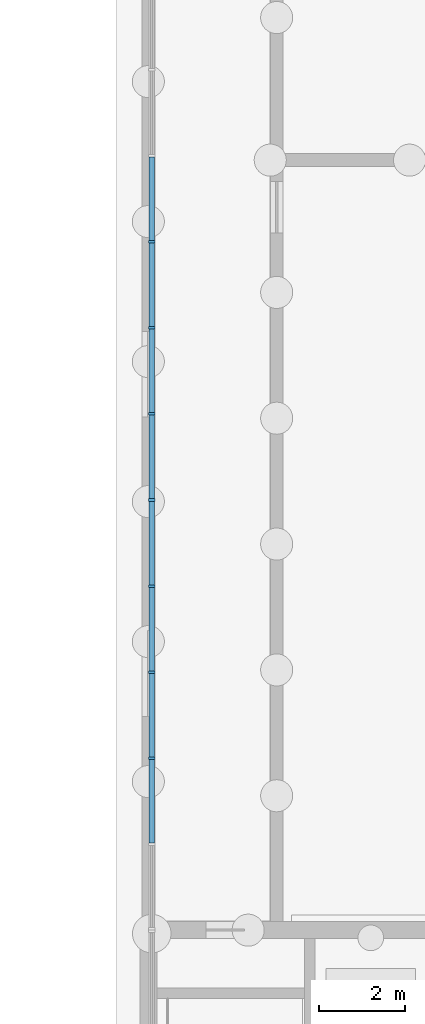
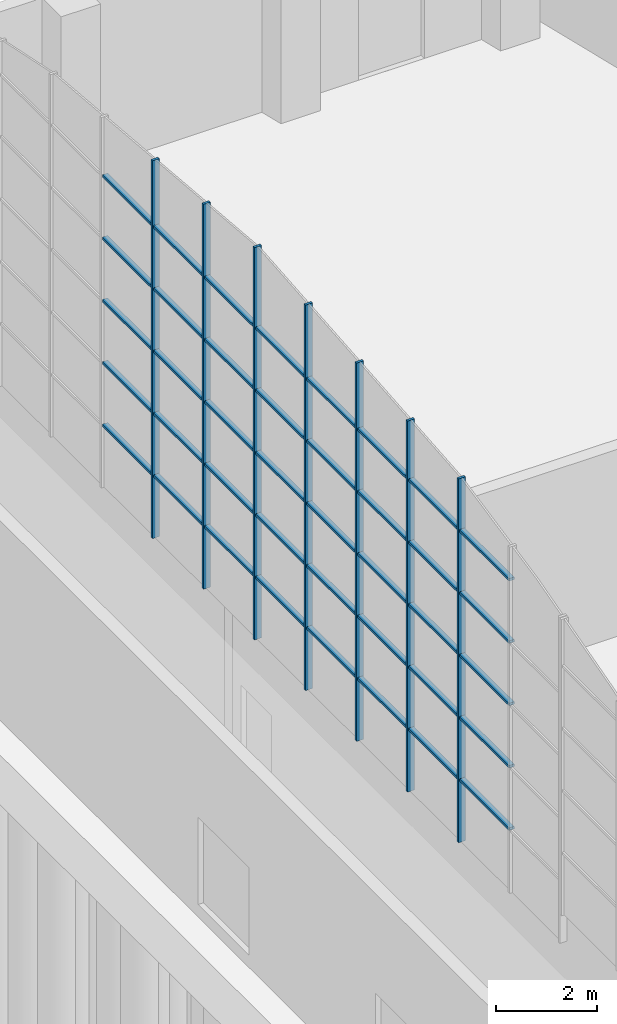
# One storey, part 27 of 106: 47 members, 1 element without a shape of its own.
"""IFC4 building model written with IfcOpenShell, lengths in metres."""

from ifc_helpers import new_model, si_unit, direction, frame, origin, origin_2d, place, context, subcontext, project, spatial, rectangle, extrude, material, material_profile, profile_set, type_object, element, aggregate, save


model = new_model("IFC4")

# Units and contexts
model_context = context("Model", 3, precision=1e-05, world=origin(), true_north=direction((0.0, 1.0)))
body_context = subcontext(model_context, "Body", "Model", "MODEL_VIEW")
ifc_project = project(units=[si_unit("LENGTHUNIT", "METRE"), si_unit("AREAUNIT", "SQUARE_METRE"), si_unit("VOLUMEUNIT", "CUBIC_METRE"), si_unit("PLANEANGLEUNIT", "RADIAN"), si_unit("MASSUNIT", "GRAM", prefix="KILO")], contexts=[model_context])

# Site, building, storey
site_placement = place(None, origin())
site = spatial("IfcSite", under=ifc_project, at=site_placement, CompositionType="ELEMENT")
building_placement = place(site_placement, origin())
building = spatial("IfcBuilding", under=site, at=building_placement, Name="Merrow Basin Faculty of Sciences", CompositionType="ELEMENT")
storey_placement = place(building_placement, origin())
storey = spatial("IfcBuildingStorey", under=building, at=storey_placement, Name="L00", CompositionType="ELEMENT", Elevation=0.0)

# Curtain wall, members
ifc_material_1 = material(Name="Aluminium alloy 6063", Category="aluminium")
curtain_wall_type = type_object("IfcCurtainWallType", Name="Arched curtain wall 160", PredefinedType="NOTDEFINED", material=ifc_material_1)
curtain_wall_placement = place(storey_placement, origin())
curtain_wall = element("IfcCurtainWall", 1, at=curtain_wall_placement, inside=storey, type_object=curtain_wall_type, Name="West gable glazing C", PredefinedType="NOTDEFINED")
ifc_material_2 = material(Name="Aluminium alloy 6063", Category="aluminium")
ifc_material_profile_1 = material_profile(ifc_material_2, rectangle(XDim=0.159912109375, YDim=0.06005859375, at=origin_2d()))
ifc_profile_set_1 = profile_set([ifc_material_profile_1], Name="Aluminium alloy 6063")
member_type_1 = type_object("IfcMemberType", Name="Aluminium gable mullion 60x160", PredefinedType="MULLION", material=ifc_profile_set_1)
member_1_placement = place(storey_placement, frame((0.080078125, 18.02197265625, 7.5), z_axis=(0.0, 0.0, 1.0), x_axis=(1.0, 0.0, 0.0)))
member_1 = element("IfcMember", 2, at=member_1_placement, type_object=member_type_1, Name="CW4 mullion 3", PredefinedType="MULLION", context=body_context, shape_type="SweptSolid", body=[
    extrude(rectangle(XDim=0.159912109375, YDim=0.06005859375, at=origin_2d()), origin(), (0.0, 0.0, 1.0), 8.7529296875),
])
member_2_placement = place(storey_placement, frame((0.080078125, 20.032958984375, 7.5), z_axis=(0.0, 0.0, 1.0), x_axis=(1.0, 0.0, 0.0)))
member_2 = element("IfcMember", 3, at=member_2_placement, type_object=member_type_1, Name="CW4 mullion 4", PredefinedType="MULLION", context=body_context, shape_type="SweptSolid", body=[
    extrude(rectangle(XDim=0.159912109375, YDim=0.06005859375, at=origin_2d()), origin(), (0.0, 0.0, 1.0), 8.927001953125),
])
member_3_placement = place(storey_placement, frame((0.080078125, 22.0439453125, 7.5), z_axis=(0.0, 0.0, 1.0), x_axis=(1.0, 0.0, 0.0)))
member_3 = element("IfcMember", 4, at=member_3_placement, type_object=member_type_1, Name="CW4 mullion 5", PredefinedType="MULLION", context=body_context, shape_type="SweptSolid", body=[
    extrude(rectangle(XDim=0.159912109375, YDim=0.06005859375, at=origin_2d()), origin(), (0.0, 0.0, 1.0), 9.10205078125),
])
member_4_placement = place(storey_placement, frame((0.080078125, 24.055908203125, 7.5), z_axis=(0.0, 0.0, 1.0), x_axis=(1.0, 0.0, 0.0)))
member_4 = element("IfcMember", 5, at=member_4_placement, type_object=member_type_1, Name="CW4 mullion 6", PredefinedType="MULLION", context=body_context, shape_type="SweptSolid", body=[
    extrude(rectangle(XDim=0.159912109375, YDim=0.06005859375, at=origin_2d()), origin(), (0.0, 0.0, 1.0), 9.277099609375),
])
member_5_placement = place(storey_placement, frame((0.080078125, 26.06689453125, 7.5), z_axis=(0.0, 0.0, 1.0), x_axis=(1.0, 0.0, 0.0)))
member_5 = element("IfcMember", 6, at=member_5_placement, type_object=member_type_1, Name="CW4 mullion 7", PredefinedType="MULLION", context=body_context, shape_type="SweptSolid", body=[
    extrude(rectangle(XDim=0.159912109375, YDim=0.06005859375, at=origin_2d()), origin(), (0.0, 0.0, 1.0), 9.43994140625),
])
member_6_placement = place(storey_placement, frame((0.080078125, 28.077880859375, 7.5), z_axis=(0.0, 0.0, 1.0), x_axis=(1.0, 0.0, 0.0)))
member_6 = element("IfcMember", 7, at=member_6_placement, type_object=member_type_1, Name="CW4 mullion 8", PredefinedType="MULLION", context=body_context, shape_type="SweptSolid", body=[
    extrude(rectangle(XDim=0.159912109375, YDim=0.06005859375, at=origin_2d()), origin(), (0.0, 0.0, 1.0), 9.264892578125),
])
member_7_placement = place(storey_placement, frame((0.080078125, 30.089111328125, 7.5), z_axis=(0.0, 0.0, 1.0), x_axis=(1.0, 0.0, 0.0)))
member_7 = element("IfcMember", 8, at=member_7_placement, type_object=member_type_1, Name="CW4 mullion 9", PredefinedType="MULLION", context=body_context, shape_type="SweptSolid", body=[
    extrude(rectangle(XDim=0.159912109375, YDim=0.06005859375, at=origin_2d()), origin(), (0.0, 0.0, 1.0), 9.090087890625),
])
ifc_material_3 = material(Name="Aluminium alloy 6063", Category="aluminium")
ifc_material_profile_2 = material_profile(ifc_material_3, rectangle(XDim=0.1201171875, YDim=0.06005859375, at=origin_2d()))
ifc_profile_set_2 = profile_set([ifc_material_profile_2], Name="Aluminium alloy 6063")
member_type_2 = type_object("IfcMemberType", Name="Aluminium gable transom 60x120", PredefinedType="USERDEFINED", material=ifc_profile_set_2)
member_8_placement = place(storey_placement, frame((0.080078125, 16.041015625, 9.0), z_axis=(0.0, 1.0, 0.0), x_axis=(-1.0, 0.0, 0.0)))
member_8 = element("IfcMember", 9, at=member_8_placement, type_object=member_type_2, Name="CW4 transom 2.1", ObjectType="TRANSOM", PredefinedType="USERDEFINED", context=body_context, shape_type="SweptSolid", body=[
    extrude(rectangle(XDim=0.1201171875, YDim=0.06005859375, at=origin_2d()), origin(), (0.0, 0.0, 1.0), 1.950927734375),
])
member_9_placement = place(storey_placement, frame((0.080078125, 16.041015625, 10.5), z_axis=(0.0, 1.0, 0.0), x_axis=(-1.0, 0.0, 0.0)))
member_9 = element("IfcMember", 10, at=member_9_placement, type_object=member_type_2, Name="CW4 transom 2.2", ObjectType="TRANSOM", PredefinedType="USERDEFINED", context=body_context, shape_type="SweptSolid", body=[
    extrude(rectangle(XDim=0.1201171875, YDim=0.06005859375, at=origin_2d()), origin(), (0.0, 0.0, 1.0), 1.950927734375),
])
member_10_placement = place(storey_placement, frame((0.080078125, 16.041015625, 12.0), z_axis=(0.0, 1.0, 0.0), x_axis=(-1.0, 0.0, 0.0)))
member_10 = element("IfcMember", 11, at=member_10_placement, type_object=member_type_2, Name="CW4 transom 2.3", ObjectType="TRANSOM", PredefinedType="USERDEFINED", context=body_context, shape_type="SweptSolid", body=[
    extrude(rectangle(XDim=0.1201171875, YDim=0.06005859375, at=origin_2d()), origin(), (0.0, 0.0, 1.0), 1.950927734375),
])
member_11_placement = place(storey_placement, frame((0.080078125, 16.041015625, 13.5), z_axis=(0.0, 1.0, 0.0), x_axis=(-1.0, 0.0, 0.0)))
member_11 = element("IfcMember", 12, at=member_11_placement, type_object=member_type_2, Name="CW4 transom 2.4", ObjectType="TRANSOM", PredefinedType="USERDEFINED", context=body_context, shape_type="SweptSolid", body=[
    extrude(rectangle(XDim=0.1201171875, YDim=0.06005859375, at=origin_2d()), origin(), (0.0, 0.0, 1.0), 1.950927734375),
])
member_12_placement = place(storey_placement, frame((0.080078125, 16.041015625, 15.0), z_axis=(0.0, 1.0, 0.0), x_axis=(-1.0, 0.0, 0.0)))
member_12 = element("IfcMember", 13, at=member_12_placement, type_object=member_type_2, Name="CW4 transom 2.5", ObjectType="TRANSOM", PredefinedType="USERDEFINED", context=body_context, shape_type="SweptSolid", body=[
    extrude(rectangle(XDim=0.1201171875, YDim=0.06005859375, at=origin_2d()), origin(), (0.0, 0.0, 1.0), 1.950927734375),
])
member_13_placement = place(storey_placement, frame((0.080078125, 18.052001953125, 9.0), z_axis=(0.0, 1.0, 0.0), x_axis=(-1.0, 0.0, 0.0)))
member_13 = element("IfcMember", 14, at=member_13_placement, type_object=member_type_2, Name="CW4 transom 3.1", ObjectType="TRANSOM", PredefinedType="USERDEFINED", context=body_context, shape_type="SweptSolid", body=[
    extrude(rectangle(XDim=0.1201171875, YDim=0.06005859375, at=origin_2d()), origin(), (0.0, 0.0, 1.0), 1.950927734375),
])
member_14_placement = place(storey_placement, frame((0.080078125, 18.052001953125, 10.5), z_axis=(0.0, 1.0, 0.0), x_axis=(-1.0, 0.0, 0.0)))
member_14 = element("IfcMember", 15, at=member_14_placement, type_object=member_type_2, Name="CW4 transom 3.2", ObjectType="TRANSOM", PredefinedType="USERDEFINED", context=body_context, shape_type="SweptSolid", body=[
    extrude(rectangle(XDim=0.1201171875, YDim=0.06005859375, at=origin_2d()), origin(), (0.0, 0.0, 1.0), 1.950927734375),
])
member_15_placement = place(storey_placement, frame((0.080078125, 18.052001953125, 12.0), z_axis=(0.0, 1.0, 0.0), x_axis=(-1.0, 0.0, 0.0)))
member_15 = element("IfcMember", 16, at=member_15_placement, type_object=member_type_2, Name="CW4 transom 3.3", ObjectType="TRANSOM", PredefinedType="USERDEFINED", context=body_context, shape_type="SweptSolid", body=[
    extrude(rectangle(XDim=0.1201171875, YDim=0.06005859375, at=origin_2d()), origin(), (0.0, 0.0, 1.0), 1.950927734375),
])
member_16_placement = place(storey_placement, frame((0.080078125, 18.052001953125, 13.5), z_axis=(0.0, 1.0, 0.0), x_axis=(-1.0, 0.0, 0.0)))
member_16 = element("IfcMember", 17, at=member_16_placement, type_object=member_type_2, Name="CW4 transom 3.4", ObjectType="TRANSOM", PredefinedType="USERDEFINED", context=body_context, shape_type="SweptSolid", body=[
    extrude(rectangle(XDim=0.1201171875, YDim=0.06005859375, at=origin_2d()), origin(), (0.0, 0.0, 1.0), 1.950927734375),
])
member_17_placement = place(storey_placement, frame((0.080078125, 18.052001953125, 15.0), z_axis=(0.0, 1.0, 0.0), x_axis=(-1.0, 0.0, 0.0)))
member_17 = element("IfcMember", 18, at=member_17_placement, type_object=member_type_2, Name="CW4 transom 3.5", ObjectType="TRANSOM", PredefinedType="USERDEFINED", context=body_context, shape_type="SweptSolid", body=[
    extrude(rectangle(XDim=0.1201171875, YDim=0.06005859375, at=origin_2d()), origin(), (0.0, 0.0, 1.0), 1.950927734375),
])
member_18_placement = place(storey_placement, frame((0.080078125, 20.06298828125, 9.0), z_axis=(0.0, 1.0, 0.0), x_axis=(-1.0, 0.0, 0.0)))
member_18 = element("IfcMember", 19, at=member_18_placement, type_object=member_type_2, Name="CW4 transom 4.1", ObjectType="TRANSOM", PredefinedType="USERDEFINED", context=body_context, shape_type="SweptSolid", body=[
    extrude(rectangle(XDim=0.1201171875, YDim=0.06005859375, at=origin_2d()), origin(), (0.0, 0.0, 1.0), 1.950927734375),
])
member_19_placement = place(storey_placement, frame((0.080078125, 20.06298828125, 10.5), z_axis=(0.0, 1.0, 0.0), x_axis=(-1.0, 0.0, 0.0)))
member_19 = element("IfcMember", 20, at=member_19_placement, type_object=member_type_2, Name="CW4 transom 4.2", ObjectType="TRANSOM", PredefinedType="USERDEFINED", context=body_context, shape_type="SweptSolid", body=[
    extrude(rectangle(XDim=0.1201171875, YDim=0.06005859375, at=origin_2d()), origin(), (0.0, 0.0, 1.0), 1.950927734375),
])
member_20_placement = place(storey_placement, frame((0.080078125, 20.06298828125, 12.0), z_axis=(0.0, 1.0, 0.0), x_axis=(-1.0, 0.0, 0.0)))
member_20 = element("IfcMember", 21, at=member_20_placement, type_object=member_type_2, Name="CW4 transom 4.3", ObjectType="TRANSOM", PredefinedType="USERDEFINED", context=body_context, shape_type="SweptSolid", body=[
    extrude(rectangle(XDim=0.1201171875, YDim=0.06005859375, at=origin_2d()), origin(), (0.0, 0.0, 1.0), 1.950927734375),
])
member_21_placement = place(storey_placement, frame((0.080078125, 20.06298828125, 13.5), z_axis=(0.0, 1.0, 0.0), x_axis=(-1.0, 0.0, 0.0)))
member_21 = element("IfcMember", 22, at=member_21_placement, type_object=member_type_2, Name="CW4 transom 4.4", ObjectType="TRANSOM", PredefinedType="USERDEFINED", context=body_context, shape_type="SweptSolid", body=[
    extrude(rectangle(XDim=0.1201171875, YDim=0.06005859375, at=origin_2d()), origin(), (0.0, 0.0, 1.0), 1.950927734375),
])
member_22_placement = place(storey_placement, frame((0.080078125, 20.06298828125, 15.0), z_axis=(0.0, 1.0, 0.0), x_axis=(-1.0, 0.0, 0.0)))
member_22 = element("IfcMember", 23, at=member_22_placement, type_object=member_type_2, Name="CW4 transom 4.5", ObjectType="TRANSOM", PredefinedType="USERDEFINED", context=body_context, shape_type="SweptSolid", body=[
    extrude(rectangle(XDim=0.1201171875, YDim=0.06005859375, at=origin_2d()), origin(), (0.0, 0.0, 1.0), 1.950927734375),
])
member_23_placement = place(storey_placement, frame((0.080078125, 22.073974609375, 9.0), z_axis=(0.0, 1.0, 0.0), x_axis=(-1.0, 0.0, 0.0)))
member_23 = element("IfcMember", 24, at=member_23_placement, type_object=member_type_2, Name="CW4 transom 5.1", ObjectType="TRANSOM", PredefinedType="USERDEFINED", context=body_context, shape_type="SweptSolid", body=[
    extrude(rectangle(XDim=0.1201171875, YDim=0.06005859375, at=origin_2d()), origin(), (0.0, 0.0, 1.0), 1.951904296875),
])
member_24_placement = place(storey_placement, frame((0.080078125, 22.073974609375, 10.5), z_axis=(0.0, 1.0, 0.0), x_axis=(-1.0, 0.0, 0.0)))
member_24 = element("IfcMember", 25, at=member_24_placement, type_object=member_type_2, Name="CW4 transom 5.2", ObjectType="TRANSOM", PredefinedType="USERDEFINED", context=body_context, shape_type="SweptSolid", body=[
    extrude(rectangle(XDim=0.1201171875, YDim=0.06005859375, at=origin_2d()), origin(), (0.0, 0.0, 1.0), 1.951904296875),
])
member_25_placement = place(storey_placement, frame((0.080078125, 22.073974609375, 12.0), z_axis=(0.0, 1.0, 0.0), x_axis=(-1.0, 0.0, 0.0)))
member_25 = element("IfcMember", 26, at=member_25_placement, type_object=member_type_2, Name="CW4 transom 5.3", ObjectType="TRANSOM", PredefinedType="USERDEFINED", context=body_context, shape_type="SweptSolid", body=[
    extrude(rectangle(XDim=0.1201171875, YDim=0.06005859375, at=origin_2d()), origin(), (0.0, 0.0, 1.0), 1.951904296875),
])
member_26_placement = place(storey_placement, frame((0.080078125, 22.073974609375, 13.5), z_axis=(0.0, 1.0, 0.0), x_axis=(-1.0, 0.0, 0.0)))
member_26 = element("IfcMember", 27, at=member_26_placement, type_object=member_type_2, Name="CW4 transom 5.4", ObjectType="TRANSOM", PredefinedType="USERDEFINED", context=body_context, shape_type="SweptSolid", body=[
    extrude(rectangle(XDim=0.1201171875, YDim=0.06005859375, at=origin_2d()), origin(), (0.0, 0.0, 1.0), 1.951904296875),
])
member_27_placement = place(storey_placement, frame((0.080078125, 22.073974609375, 15.0), z_axis=(0.0, 1.0, 0.0), x_axis=(-1.0, 0.0, 0.0)))
member_27 = element("IfcMember", 28, at=member_27_placement, type_object=member_type_2, Name="CW4 transom 5.5", ObjectType="TRANSOM", PredefinedType="USERDEFINED", context=body_context, shape_type="SweptSolid", body=[
    extrude(rectangle(XDim=0.1201171875, YDim=0.06005859375, at=origin_2d()), origin(), (0.0, 0.0, 1.0), 1.951904296875),
])
member_28_placement = place(storey_placement, frame((0.080078125, 24.0859375, 9.0), z_axis=(0.0, 1.0, 0.0), x_axis=(-1.0, 0.0, 0.0)))
member_28 = element("IfcMember", 29, at=member_28_placement, type_object=member_type_2, Name="CW4 transom 6.1", ObjectType="TRANSOM", PredefinedType="USERDEFINED", context=body_context, shape_type="SweptSolid", body=[
    extrude(rectangle(XDim=0.1201171875, YDim=0.06005859375, at=origin_2d()), origin(), (0.0, 0.0, 1.0), 1.951171875),
])
member_29_placement = place(storey_placement, frame((0.080078125, 24.0859375, 10.5), z_axis=(0.0, 1.0, 0.0), x_axis=(-1.0, 0.0, 0.0)))
member_29 = element("IfcMember", 30, at=member_29_placement, type_object=member_type_2, Name="CW4 transom 6.2", ObjectType="TRANSOM", PredefinedType="USERDEFINED", context=body_context, shape_type="SweptSolid", body=[
    extrude(rectangle(XDim=0.1201171875, YDim=0.06005859375, at=origin_2d()), origin(), (0.0, 0.0, 1.0), 1.951171875),
])
member_30_placement = place(storey_placement, frame((0.080078125, 24.0859375, 12.0), z_axis=(0.0, 1.0, 0.0), x_axis=(-1.0, 0.0, 0.0)))
member_30 = element("IfcMember", 31, at=member_30_placement, type_object=member_type_2, Name="CW4 transom 6.3", ObjectType="TRANSOM", PredefinedType="USERDEFINED", context=body_context, shape_type="SweptSolid", body=[
    extrude(rectangle(XDim=0.1201171875, YDim=0.06005859375, at=origin_2d()), origin(), (0.0, 0.0, 1.0), 1.951171875),
])
member_31_placement = place(storey_placement, frame((0.080078125, 24.0859375, 13.5), z_axis=(0.0, 1.0, 0.0), x_axis=(-1.0, 0.0, 0.0)))
member_31 = element("IfcMember", 32, at=member_31_placement, type_object=member_type_2, Name="CW4 transom 6.4", ObjectType="TRANSOM", PredefinedType="USERDEFINED", context=body_context, shape_type="SweptSolid", body=[
    extrude(rectangle(XDim=0.1201171875, YDim=0.06005859375, at=origin_2d()), origin(), (0.0, 0.0, 1.0), 1.951171875),
])
member_32_placement = place(storey_placement, frame((0.080078125, 24.0859375, 15.0), z_axis=(0.0, 1.0, 0.0), x_axis=(-1.0, 0.0, 0.0)))
member_32 = element("IfcMember", 33, at=member_32_placement, type_object=member_type_2, Name="CW4 transom 6.5", ObjectType="TRANSOM", PredefinedType="USERDEFINED", context=body_context, shape_type="SweptSolid", body=[
    extrude(rectangle(XDim=0.1201171875, YDim=0.06005859375, at=origin_2d()), origin(), (0.0, 0.0, 1.0), 1.951171875),
])
member_33_placement = place(storey_placement, frame((0.080078125, 26.096923828125, 9.0), z_axis=(0.0, 1.0, 0.0), x_axis=(-1.0, 0.0, 0.0)))
member_33 = element("IfcMember", 34, at=member_33_placement, type_object=member_type_2, Name="CW4 transom 7.1", ObjectType="TRANSOM", PredefinedType="USERDEFINED", context=body_context, shape_type="SweptSolid", body=[
    extrude(rectangle(XDim=0.1201171875, YDim=0.06005859375, at=origin_2d()), origin(), (0.0, 0.0, 1.0), 1.951171875),
])
member_34_placement = place(storey_placement, frame((0.080078125, 26.096923828125, 10.5), z_axis=(0.0, 1.0, 0.0), x_axis=(-1.0, 0.0, 0.0)))
member_34 = element("IfcMember", 35, at=member_34_placement, type_object=member_type_2, Name="CW4 transom 7.2", ObjectType="TRANSOM", PredefinedType="USERDEFINED", context=body_context, shape_type="SweptSolid", body=[
    extrude(rectangle(XDim=0.1201171875, YDim=0.06005859375, at=origin_2d()), origin(), (0.0, 0.0, 1.0), 1.951171875),
])
member_35_placement = place(storey_placement, frame((0.080078125, 26.096923828125, 12.0), z_axis=(0.0, 1.0, 0.0), x_axis=(-1.0, 0.0, 0.0)))
member_35 = element("IfcMember", 36, at=member_35_placement, type_object=member_type_2, Name="CW4 transom 7.3", ObjectType="TRANSOM", PredefinedType="USERDEFINED", context=body_context, shape_type="SweptSolid", body=[
    extrude(rectangle(XDim=0.1201171875, YDim=0.06005859375, at=origin_2d()), origin(), (0.0, 0.0, 1.0), 1.951171875),
])
member_36_placement = place(storey_placement, frame((0.080078125, 26.096923828125, 13.5), z_axis=(0.0, 1.0, 0.0), x_axis=(-1.0, 0.0, 0.0)))
member_36 = element("IfcMember", 37, at=member_36_placement, type_object=member_type_2, Name="CW4 transom 7.4", ObjectType="TRANSOM", PredefinedType="USERDEFINED", context=body_context, shape_type="SweptSolid", body=[
    extrude(rectangle(XDim=0.1201171875, YDim=0.06005859375, at=origin_2d()), origin(), (0.0, 0.0, 1.0), 1.951171875),
])
member_37_placement = place(storey_placement, frame((0.080078125, 26.096923828125, 15.0), z_axis=(0.0, 1.0, 0.0), x_axis=(-1.0, 0.0, 0.0)))
member_37 = element("IfcMember", 38, at=member_37_placement, type_object=member_type_2, Name="CW4 transom 7.5", ObjectType="TRANSOM", PredefinedType="USERDEFINED", context=body_context, shape_type="SweptSolid", body=[
    extrude(rectangle(XDim=0.1201171875, YDim=0.06005859375, at=origin_2d()), origin(), (0.0, 0.0, 1.0), 1.951171875),
])
member_38_placement = place(storey_placement, frame((0.080078125, 28.10791015625, 9.0), z_axis=(0.0, 1.0, 0.0), x_axis=(-1.0, 0.0, 0.0)))
member_38 = element("IfcMember", 39, at=member_38_placement, type_object=member_type_2, Name="CW4 transom 8.1", ObjectType="TRANSOM", PredefinedType="USERDEFINED", context=body_context, shape_type="SweptSolid", body=[
    extrude(rectangle(XDim=0.1201171875, YDim=0.06005859375, at=origin_2d()), origin(), (0.0, 0.0, 1.0), 1.951171875),
])
member_39_placement = place(storey_placement, frame((0.080078125, 28.10791015625, 10.5), z_axis=(0.0, 1.0, 0.0), x_axis=(-1.0, 0.0, 0.0)))
member_39 = element("IfcMember", 40, at=member_39_placement, type_object=member_type_2, Name="CW4 transom 8.2", ObjectType="TRANSOM", PredefinedType="USERDEFINED", context=body_context, shape_type="SweptSolid", body=[
    extrude(rectangle(XDim=0.1201171875, YDim=0.06005859375, at=origin_2d()), origin(), (0.0, 0.0, 1.0), 1.951171875),
])
member_40_placement = place(storey_placement, frame((0.080078125, 28.10791015625, 12.0), z_axis=(0.0, 1.0, 0.0), x_axis=(-1.0, 0.0, 0.0)))
member_40 = element("IfcMember", 41, at=member_40_placement, type_object=member_type_2, Name="CW4 transom 8.3", ObjectType="TRANSOM", PredefinedType="USERDEFINED", context=body_context, shape_type="SweptSolid", body=[
    extrude(rectangle(XDim=0.1201171875, YDim=0.06005859375, at=origin_2d()), origin(), (0.0, 0.0, 1.0), 1.951171875),
])
member_41_placement = place(storey_placement, frame((0.080078125, 28.10791015625, 13.5), z_axis=(0.0, 1.0, 0.0), x_axis=(-1.0, 0.0, 0.0)))
member_41 = element("IfcMember", 42, at=member_41_placement, type_object=member_type_2, Name="CW4 transom 8.4", ObjectType="TRANSOM", PredefinedType="USERDEFINED", context=body_context, shape_type="SweptSolid", body=[
    extrude(rectangle(XDim=0.1201171875, YDim=0.06005859375, at=origin_2d()), origin(), (0.0, 0.0, 1.0), 1.951171875),
])
member_42_placement = place(storey_placement, frame((0.080078125, 28.10791015625, 15.0), z_axis=(0.0, 1.0, 0.0), x_axis=(-1.0, 0.0, 0.0)))
member_42 = element("IfcMember", 43, at=member_42_placement, type_object=member_type_2, Name="CW4 transom 8.5", ObjectType="TRANSOM", PredefinedType="USERDEFINED", context=body_context, shape_type="SweptSolid", body=[
    extrude(rectangle(XDim=0.1201171875, YDim=0.06005859375, at=origin_2d()), origin(), (0.0, 0.0, 1.0), 1.951171875),
])
member_43_placement = place(storey_placement, frame((0.080078125, 30.118896484375, 9.0), z_axis=(0.0, 1.0, 0.0), x_axis=(-1.0, 0.0, 0.0)))
member_43 = element("IfcMember", 44, at=member_43_placement, type_object=member_type_2, Name="CW4 transom 9.1", ObjectType="TRANSOM", PredefinedType="USERDEFINED", context=body_context, shape_type="SweptSolid", body=[
    extrude(rectangle(XDim=0.1201171875, YDim=0.06005859375, at=origin_2d()), origin(), (0.0, 0.0, 1.0), 1.951171875),
])
member_44_placement = place(storey_placement, frame((0.080078125, 30.118896484375, 10.5), z_axis=(0.0, 1.0, 0.0), x_axis=(-1.0, 0.0, 0.0)))
member_44 = element("IfcMember", 45, at=member_44_placement, type_object=member_type_2, Name="CW4 transom 9.2", ObjectType="TRANSOM", PredefinedType="USERDEFINED", context=body_context, shape_type="SweptSolid", body=[
    extrude(rectangle(XDim=0.1201171875, YDim=0.06005859375, at=origin_2d()), origin(), (0.0, 0.0, 1.0), 1.951171875),
])
member_45_placement = place(storey_placement, frame((0.080078125, 30.118896484375, 12.0), z_axis=(0.0, 1.0, 0.0), x_axis=(-1.0, 0.0, 0.0)))
member_45 = element("IfcMember", 46, at=member_45_placement, type_object=member_type_2, Name="CW4 transom 9.3", ObjectType="TRANSOM", PredefinedType="USERDEFINED", context=body_context, shape_type="SweptSolid", body=[
    extrude(rectangle(XDim=0.1201171875, YDim=0.06005859375, at=origin_2d()), origin(), (0.0, 0.0, 1.0), 1.951171875),
])
member_46_placement = place(storey_placement, frame((0.080078125, 30.118896484375, 13.5), z_axis=(0.0, 1.0, 0.0), x_axis=(-1.0, 0.0, 0.0)))
member_46 = element("IfcMember", 47, at=member_46_placement, type_object=member_type_2, Name="CW4 transom 9.4", ObjectType="TRANSOM", PredefinedType="USERDEFINED", context=body_context, shape_type="SweptSolid", body=[
    extrude(rectangle(XDim=0.1201171875, YDim=0.06005859375, at=origin_2d()), origin(), (0.0, 0.0, 1.0), 1.951171875),
])
member_47_placement = place(storey_placement, frame((0.080078125, 30.118896484375, 15.0), z_axis=(0.0, 1.0, 0.0), x_axis=(-1.0, 0.0, 0.0)))
member_47 = element("IfcMember", 48, at=member_47_placement, type_object=member_type_2, Name="CW4 transom 9.5", ObjectType="TRANSOM", PredefinedType="USERDEFINED", context=body_context, shape_type="SweptSolid", body=[
    extrude(rectangle(XDim=0.1201171875, YDim=0.06005859375, at=origin_2d()), origin(), (0.0, 0.0, 1.0), 1.951171875),
])
aggregate(curtain_wall, [member_1, member_2, member_3, member_4, member_5, member_6, member_7, member_8, member_9, member_10, member_11, member_12, member_13, member_14, member_15, member_16, member_17, member_18, member_19, member_20, member_21, member_22, member_23, member_24, member_25, member_26, member_27, member_28, member_29, member_30, member_31, member_32, member_33, member_34, member_35, member_36, member_37, member_38, member_39, member_40, member_41, member_42, member_43, member_44, member_45, member_46, member_47])

save(model, "model.ifc")
